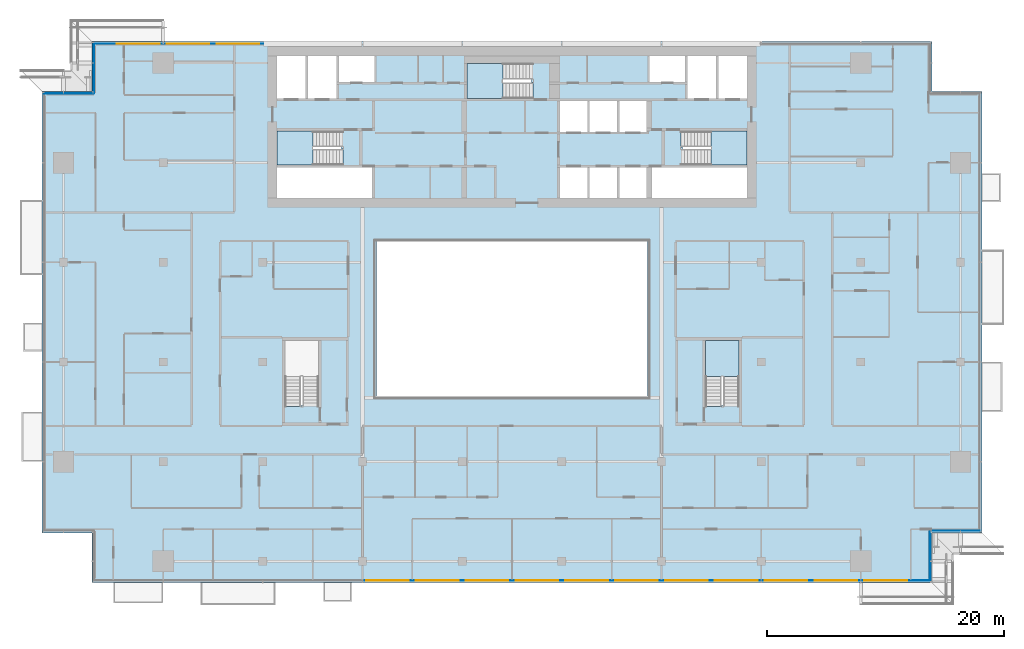
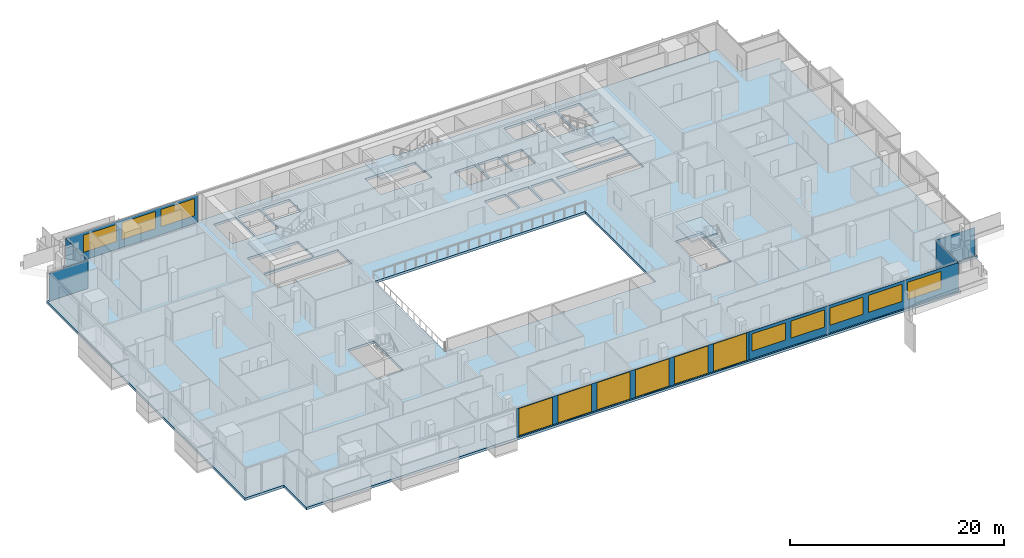
# One storey, part 15 of 30: 14 windows, 7 plates, 5 slabs, 14 openings, 10 elements without a shape of their own.
"""IFC4 building model written with IfcOpenShell, lengths in metres."""

from ifc_helpers import new_model, si_unit, direction, frame, frame_2d, origin, place, context, subcontext, project, spatial, polyline, rectangle, outline, extrude, material, layer, layer_set, type_object, element, fill, aggregate, save


model = new_model("IFC4")

# Units and contexts
model_context = context("Model", 3, precision=1e-05, world=origin(), true_north=direction((0.0, 1.0)))
body_context = subcontext(model_context, "Body", "Model", "MODEL_VIEW")
ifc_project = project(units=[si_unit("LENGTHUNIT", "METRE"), si_unit("AREAUNIT", "SQUARE_METRE"), si_unit("VOLUMEUNIT", "CUBIC_METRE"), si_unit("PLANEANGLEUNIT", "RADIAN"), si_unit("MASSUNIT", "GRAM", prefix="KILO")], contexts=[model_context])

# Site, building, storey
site_placement = place(None, origin())
site = spatial("IfcSite", under=ifc_project, at=site_placement, CompositionType="ELEMENT")
building_placement = place(site_placement, origin())
building = spatial("IfcBuilding", under=site, at=building_placement, Name="Saffron Gate Tower", CompositionType="ELEMENT")
storey_placement = place(building_placement, frame((0.0, 0.0, 158.25)))
storey = spatial("IfcBuildingStorey", under=building, at=storey_placement, Name="L38", CompositionType="ELEMENT", Elevation=158.25)

# Curtain wall, plates, openings, windows
ifc_material_1 = material(Name="Aluminium, bronze anodised", Category="aluminium")
curtain_wall_type_1 = type_object("IfcCurtainWallType", Name="CWS1 curtain wall front facade", PredefinedType="NOTDEFINED", material=ifc_material_1)
curtain_wall_1_placement = place(storey_placement, origin())
curtain_wall_1 = element("IfcCurtainWall", 1, at=curtain_wall_1_placement, inside=storey, type_object=curtain_wall_type_1, Name="CWS1 run 1", PredefinedType="NOTDEFINED")
ifc_material_2 = material(Name="Clear low-iron laminated glass", Category="glass")
ifc_layer_1 = layer(ifc_material_2, 0.028076171875)
ifc_layer_set_1 = layer_set([ifc_layer_1], Name="CWS1 clear glass")
plate_type_1 = type_object("IfcPlateType", Name="CWS1 clear glass", PredefinedType="CURTAIN_PANEL", material=ifc_layer_set_1)
plate_1_placement = place(storey_placement, frame((75.030029296875, 30.174072265625, 0.0), z_axis=(0.0, 0.0, 1.0), x_axis=(1.0, 0.0, 0.0)))
plate_1 = element("IfcPlate", 2, at=plate_1_placement, type_object=plate_type_1, Name="CWS1 clear glass panel", PredefinedType="CURTAIN_PANEL", context=body_context, shape_type="SweptSolid", body=[
    extrude(rectangle(XDim=25.139892578125, YDim=0.028076171875, at=frame_2d((12.56982421875, 0.0))), origin(), (0.0, 0.0, 1.0), 3.199951171875),
])
opening_1_placement = place(plate_1_placement, frame((0.27001953125, 0.0, 0.050048828125)))
opening_1 = element("IfcOpeningElement", 3, at=opening_1_placement, cuts=plate_1, Name="Opening WA", PredefinedType="OPENING", context=body_context, shape_type="SweptSolid", body=[
    extrude(rectangle(XDim=3.60009765625, YDim=3.10009765625, at=frame_2d((1.800048828125, 1.550048828125))), frame((0.0, 0.02392578125, 0.0), z_axis=(0.0, -1.0, 0.0), x_axis=(1.0, 0.0, 0.0)), (0.0, 0.0, 1.0), 0.048095703125),
])
opening_2_placement = place(plate_1_placement, frame((4.469970703125, 0.0, 0.050048828125)))
opening_2 = element("IfcOpeningElement", 4, at=opening_2_placement, cuts=plate_1, Name="Opening WA", PredefinedType="OPENING", context=body_context, shape_type="SweptSolid", body=[
    extrude(rectangle(XDim=3.60009765625, YDim=3.10009765625, at=frame_2d((1.800048828125, 1.550048828125))), frame((0.0, 0.02392578125, 0.0), z_axis=(0.0, -1.0, 0.0), x_axis=(1.0, 0.0, 0.0)), (0.0, 0.0, 1.0), 0.048095703125),
])
opening_3_placement = place(plate_1_placement, frame((8.669921875, 0.0, 0.050048828125)))
opening_3 = element("IfcOpeningElement", 5, at=opening_3_placement, cuts=plate_1, Name="Opening WA", PredefinedType="OPENING", context=body_context, shape_type="SweptSolid", body=[
    extrude(rectangle(XDim=3.60009765625, YDim=3.10009765625, at=frame_2d((1.800048828125, 1.550048828125))), frame((0.0, 0.02392578125, 0.0), z_axis=(0.0, -1.0, 0.0), x_axis=(1.0, 0.0, 0.0)), (0.0, 0.0, 1.0), 0.048095703125),
])
opening_4_placement = place(plate_1_placement, frame((12.8701171875, 0.0, 0.050048828125)))
opening_4 = element("IfcOpeningElement", 6, at=opening_4_placement, cuts=plate_1, Name="Opening WA", PredefinedType="OPENING", context=body_context, shape_type="SweptSolid", body=[
    extrude(rectangle(XDim=3.60009765625, YDim=3.10009765625, at=frame_2d((1.800048828125, 1.550048828125))), frame((0.0, 0.02392578125, 0.0), z_axis=(0.0, -1.0, 0.0), x_axis=(1.0, 0.0, 0.0)), (0.0, 0.0, 1.0), 0.048095703125),
])
opening_5_placement = place(plate_1_placement, frame((17.070068359375, 0.0, 0.050048828125)))
opening_5 = element("IfcOpeningElement", 7, at=opening_5_placement, cuts=plate_1, Name="Opening WA", PredefinedType="OPENING", context=body_context, shape_type="SweptSolid", body=[
    extrude(rectangle(XDim=3.60009765625, YDim=3.10009765625, at=frame_2d((1.800048828125, 1.550048828125))), frame((0.0, 0.02392578125, 0.0), z_axis=(0.0, -1.0, 0.0), x_axis=(1.0, 0.0, 0.0)), (0.0, 0.0, 1.0), 0.048095703125),
])
opening_6_placement = place(plate_1_placement, frame((21.27001953125, 0.0, 0.050048828125)))
opening_6 = element("IfcOpeningElement", 8, at=opening_6_placement, cuts=plate_1, Name="Opening WA", PredefinedType="OPENING", context=body_context, shape_type="SweptSolid", body=[
    extrude(rectangle(XDim=3.60009765625, YDim=3.10009765625, at=frame_2d((1.800048828125, 1.550048828125))), frame((0.0, 0.02392578125, 0.0), z_axis=(0.0, -1.0, 0.0), x_axis=(1.0, 0.0, 0.0)), (0.0, 0.0, 1.0), 0.048095703125),
])
ifc_material_3 = material(Name="Clear low-iron laminated glass in bronze frame", Category="glass")
ifc_layer_2 = layer(ifc_material_3, 0.06005859375)
ifc_layer_set_2 = layer_set([ifc_layer_2], Name="WA operable atrium unit 3600x3100")
window_type_1 = type_object("IfcWindowType", Name="WA operable atrium unit 3600x3100", PartitioningType="DOUBLE_PANEL_HORIZONTAL", PredefinedType="WINDOW", material=ifc_layer_set_2)
window_1_placement = place(opening_1_placement, origin())
window_1 = element("IfcWindow", 9, at=window_1_placement, type_object=window_type_1, Name="WA operable atrium unit", OverallHeight=3.10009765625, OverallWidth=3.60009765625, PartitioningType="SINGLE_PANEL", PredefinedType="WINDOW", context=body_context, shape_type="SweptSolid", body=[
    extrude(rectangle(XDim=3.60009765625, YDim=3.10009765625, at=frame_2d((1.800048828125, 1.550048828125))), frame((0.0, 0.013671875, 0.0), z_axis=(0.0, -1.0, 0.0), x_axis=(1.0, 0.0, 0.0)), (0.0, 0.0, 1.0), 0.027587890625),
])
fill(opening_1, window_1)
window_2_placement = place(opening_2_placement, origin())
window_2 = element("IfcWindow", 10, at=window_2_placement, type_object=window_type_1, Name="WA operable atrium unit", OverallHeight=3.10009765625, OverallWidth=3.60009765625, PartitioningType="SINGLE_PANEL", PredefinedType="WINDOW", context=body_context, shape_type="SweptSolid", body=[
    extrude(rectangle(XDim=3.60009765625, YDim=3.10009765625, at=frame_2d((1.800048828125, 1.550048828125))), frame((0.0, 0.013671875, 0.0), z_axis=(0.0, -1.0, 0.0), x_axis=(1.0, 0.0, 0.0)), (0.0, 0.0, 1.0), 0.027587890625),
])
fill(opening_2, window_2)
window_3_placement = place(opening_3_placement, origin())
window_3 = element("IfcWindow", 11, at=window_3_placement, type_object=window_type_1, Name="WA operable atrium unit", OverallHeight=3.10009765625, OverallWidth=3.60009765625, PartitioningType="SINGLE_PANEL", PredefinedType="WINDOW", context=body_context, shape_type="SweptSolid", body=[
    extrude(rectangle(XDim=3.60009765625, YDim=3.10009765625, at=frame_2d((1.800048828125, 1.550048828125))), frame((0.0, 0.013671875, 0.0), z_axis=(0.0, -1.0, 0.0), x_axis=(1.0, 0.0, 0.0)), (0.0, 0.0, 1.0), 0.027587890625),
])
fill(opening_3, window_3)
window_4_placement = place(opening_4_placement, origin())
window_4 = element("IfcWindow", 12, at=window_4_placement, type_object=window_type_1, Name="WA operable atrium unit", OverallHeight=3.10009765625, OverallWidth=3.60009765625, PartitioningType="SINGLE_PANEL", PredefinedType="WINDOW", context=body_context, shape_type="SweptSolid", body=[
    extrude(rectangle(XDim=3.60009765625, YDim=3.10009765625, at=frame_2d((1.800048828125, 1.550048828125))), frame((0.0, 0.013671875, 0.0), z_axis=(0.0, -1.0, 0.0), x_axis=(1.0, 0.0, 0.0)), (0.0, 0.0, 1.0), 0.027587890625),
])
fill(opening_4, window_4)
window_5_placement = place(opening_5_placement, origin())
window_5 = element("IfcWindow", 13, at=window_5_placement, type_object=window_type_1, Name="WA operable atrium unit", OverallHeight=3.10009765625, OverallWidth=3.60009765625, PartitioningType="SINGLE_PANEL", PredefinedType="WINDOW", context=body_context, shape_type="SweptSolid", body=[
    extrude(rectangle(XDim=3.60009765625, YDim=3.10009765625, at=frame_2d((1.800048828125, 1.550048828125))), frame((0.0, 0.013671875, 0.0), z_axis=(0.0, -1.0, 0.0), x_axis=(1.0, 0.0, 0.0)), (0.0, 0.0, 1.0), 0.027587890625),
])
fill(opening_5, window_5)
window_6_placement = place(opening_6_placement, origin())
window_6 = element("IfcWindow", 14, at=window_6_placement, type_object=window_type_1, Name="WA operable atrium unit", OverallHeight=3.10009765625, OverallWidth=3.60009765625, PartitioningType="SINGLE_PANEL", PredefinedType="WINDOW", context=body_context, shape_type="SweptSolid", body=[
    extrude(rectangle(XDim=3.60009765625, YDim=3.10009765625, at=frame_2d((1.800048828125, 1.550048828125))), frame((0.0, 0.013671875, 0.0), z_axis=(0.0, -1.0, 0.0), x_axis=(1.0, 0.0, 0.0)), (0.0, 0.0, 1.0), 0.027587890625),
])
fill(opening_6, window_6)
ifc_material_4 = material(Name="Fritted bronze-tinted laminated glass", Category="glass")
ifc_layer_3 = layer(ifc_material_4, 0.028076171875)
ifc_layer_set_3 = layer_set([ifc_layer_3], Name="CWS1 fixed glass")
plate_type_2 = type_object("IfcPlateType", Name="CWS1 fixed glass", PredefinedType="CURTAIN_PANEL", material=ifc_layer_set_3)
plate_2_placement = place(storey_placement, frame((100.169921875, 30.174072265625, 0.0), z_axis=(0.0, 0.0, 1.0), x_axis=(1.0, 0.0, 0.0)))
plate_2 = element("IfcPlate", 15, at=plate_2_placement, type_object=plate_type_2, Name="CWS1 glass panel", PredefinedType="CURTAIN_PANEL", context=body_context, shape_type="SweptSolid", body=[
    extrude(rectangle(XDim=22.64208984375, YDim=0.028076171875, at=frame_2d((11.321044921875, 0.0))), origin(), (0.0, 0.0, 1.0), 3.199951171875),
])
opening_7_placement = place(plate_2_placement, frame((0.330078125, 0.0, 0.89990234375)))
opening_7 = element("IfcOpeningElement", 16, at=opening_7_placement, cuts=plate_2, Name="Opening W1", PredefinedType="OPENING", context=body_context, shape_type="SweptSolid", body=[
    extrude(rectangle(XDim=3.60009765625, YDim=1.949951171875, at=frame_2d((1.800048828125, 0.97509765625))), frame((0.0, 0.02392578125, 0.0), z_axis=(0.0, -1.0, 0.0), x_axis=(1.0, 0.0, 0.0)), (0.0, 0.0, 1.0), 0.048095703125),
])
opening_8_placement = place(plate_2_placement, frame((4.530029296875, 0.0, 0.89990234375)))
opening_8 = element("IfcOpeningElement", 17, at=opening_8_placement, cuts=plate_2, Name="Opening W1", PredefinedType="OPENING", context=body_context, shape_type="SweptSolid", body=[
    extrude(rectangle(XDim=3.60009765625, YDim=1.949951171875, at=frame_2d((1.800048828125, 0.97509765625))), frame((0.0, 0.02392578125, 0.0), z_axis=(0.0, -1.0, 0.0), x_axis=(1.0, 0.0, 0.0)), (0.0, 0.0, 1.0), 0.048095703125),
])
opening_9_placement = place(plate_2_placement, frame((8.72998046875, 0.0, 0.89990234375)))
opening_9 = element("IfcOpeningElement", 18, at=opening_9_placement, cuts=plate_2, Name="Opening W1", PredefinedType="OPENING", context=body_context, shape_type="SweptSolid", body=[
    extrude(rectangle(XDim=3.60009765625, YDim=1.949951171875, at=frame_2d((1.800048828125, 0.97509765625))), frame((0.0, 0.02392578125, 0.0), z_axis=(0.0, -1.0, 0.0), x_axis=(1.0, 0.0, 0.0)), (0.0, 0.0, 1.0), 0.048095703125),
])
opening_10_placement = place(plate_2_placement, frame((12.929931640625, 0.0, 0.89990234375)))
opening_10 = element("IfcOpeningElement", 19, at=opening_10_placement, cuts=plate_2, Name="Opening W1", PredefinedType="OPENING", context=body_context, shape_type="SweptSolid", body=[
    extrude(rectangle(XDim=3.60009765625, YDim=1.949951171875, at=frame_2d((1.800048828125, 0.97509765625))), frame((0.0, 0.02392578125, 0.0), z_axis=(0.0, -1.0, 0.0), x_axis=(1.0, 0.0, 0.0)), (0.0, 0.0, 1.0), 0.048095703125),
])
opening_11_placement = place(plate_2_placement, frame((17.1298828125, 0.0, 0.89990234375)))
opening_11 = element("IfcOpeningElement", 20, at=opening_11_placement, cuts=plate_2, Name="Opening W1", PredefinedType="OPENING", context=body_context, shape_type="SweptSolid", body=[
    extrude(rectangle(XDim=3.60009765625, YDim=1.949951171875, at=frame_2d((1.800048828125, 0.97509765625))), frame((0.0, 0.02392578125, 0.0), z_axis=(0.0, -1.0, 0.0), x_axis=(1.0, 0.0, 0.0)), (0.0, 0.0, 1.0), 0.048095703125),
])
ifc_material_5 = material(Name="Fritted bronze-tinted laminated glass in bronze frame", Category="glass")
ifc_layer_4 = layer(ifc_material_5, 0.06005859375)
ifc_layer_set_4 = layer_set([ifc_layer_4], Name="W1 operable panel 3600x1950")
window_type_2 = type_object("IfcWindowType", Name="W1 operable panel 3600x1950", PartitioningType="DOUBLE_PANEL_HORIZONTAL", PredefinedType="WINDOW", material=ifc_layer_set_4)
window_7_placement = place(opening_7_placement, origin())
window_7 = element("IfcWindow", 21, at=window_7_placement, type_object=window_type_2, Name="W1 operable panel", OverallHeight=1.949951171875, OverallWidth=3.60009765625, PartitioningType="SINGLE_PANEL", PredefinedType="WINDOW", context=body_context, shape_type="SweptSolid", body=[
    extrude(rectangle(XDim=3.60009765625, YDim=1.949951171875, at=frame_2d((1.800048828125, 0.97509765625))), frame((0.0, 0.013671875, 0.0), z_axis=(0.0, -1.0, 0.0), x_axis=(1.0, 0.0, 0.0)), (0.0, 0.0, 1.0), 0.027587890625),
])
fill(opening_7, window_7)
window_8_placement = place(opening_8_placement, origin())
window_8 = element("IfcWindow", 22, at=window_8_placement, type_object=window_type_2, Name="W1 operable panel", OverallHeight=1.949951171875, OverallWidth=3.60009765625, PartitioningType="SINGLE_PANEL", PredefinedType="WINDOW", context=body_context, shape_type="SweptSolid", body=[
    extrude(rectangle(XDim=3.60009765625, YDim=1.949951171875, at=frame_2d((1.800048828125, 0.97509765625))), frame((0.0, 0.013671875, 0.0), z_axis=(0.0, -1.0, 0.0), x_axis=(1.0, 0.0, 0.0)), (0.0, 0.0, 1.0), 0.027587890625),
])
fill(opening_8, window_8)
window_9_placement = place(opening_9_placement, origin())
window_9 = element("IfcWindow", 23, at=window_9_placement, type_object=window_type_2, Name="W1 operable panel", OverallHeight=1.949951171875, OverallWidth=3.60009765625, PartitioningType="SINGLE_PANEL", PredefinedType="WINDOW", context=body_context, shape_type="SweptSolid", body=[
    extrude(rectangle(XDim=3.60009765625, YDim=1.949951171875, at=frame_2d((1.800048828125, 0.97509765625))), frame((0.0, 0.013671875, 0.0), z_axis=(0.0, -1.0, 0.0), x_axis=(1.0, 0.0, 0.0)), (0.0, 0.0, 1.0), 0.027587890625),
])
fill(opening_9, window_9)
window_10_placement = place(opening_10_placement, origin())
window_10 = element("IfcWindow", 24, at=window_10_placement, type_object=window_type_2, Name="W1 operable panel", OverallHeight=1.949951171875, OverallWidth=3.60009765625, PartitioningType="SINGLE_PANEL", PredefinedType="WINDOW", context=body_context, shape_type="SweptSolid", body=[
    extrude(rectangle(XDim=3.60009765625, YDim=1.949951171875, at=frame_2d((1.800048828125, 0.97509765625))), frame((0.0, 0.013671875, 0.0), z_axis=(0.0, -1.0, 0.0), x_axis=(1.0, 0.0, 0.0)), (0.0, 0.0, 1.0), 0.027587890625),
])
fill(opening_10, window_10)
window_11_placement = place(opening_11_placement, origin())
window_11 = element("IfcWindow", 25, at=window_11_placement, type_object=window_type_2, Name="W1 operable panel", OverallHeight=1.949951171875, OverallWidth=3.60009765625, PartitioningType="SINGLE_PANEL", PredefinedType="WINDOW", context=body_context, shape_type="SweptSolid", body=[
    extrude(rectangle(XDim=3.60009765625, YDim=1.949951171875, at=frame_2d((1.800048828125, 0.97509765625))), frame((0.0, 0.013671875, 0.0), z_axis=(0.0, -1.0, 0.0), x_axis=(1.0, 0.0, 0.0)), (0.0, 0.0, 1.0), 0.027587890625),
])
fill(opening_11, window_11)
aggregate(curtain_wall_1, [plate_2, plate_1, window_7, window_8, window_9, window_10, window_11, window_1, window_2, window_3, window_4, window_5, window_6])

# Curtain wall, plate, openings, windows
curtain_wall_type_2 = type_object("IfcCurtainWallType", Name="CWS3 curtain wall rear facade", PredefinedType="NOTDEFINED", material=ifc_material_1)
curtain_wall_2_placement = place(storey_placement, origin())
curtain_wall_2 = element("IfcCurtainWall", 26, at=curtain_wall_2_placement, inside=storey, type_object=curtain_wall_type_2, Name="CWS3 run 7", PredefinedType="NOTDEFINED")
ifc_material_6 = material(Name="Fritted grey-tinted laminated glass", Category="glass")
ifc_layer_5 = layer(ifc_material_6, 0.028076171875)
ifc_layer_set_5 = layer_set([ifc_layer_5], Name="CWS3 fixed glass")
plate_type_3 = type_object("IfcPlateType", Name="CWS3 fixed glass", PredefinedType="CURTAIN_PANEL", material=ifc_layer_set_5)
plate_3_placement = place(storey_placement, frame((66.635009765625, 75.426025390625, 0.0), z_axis=(0.0, 0.0, 1.0), x_axis=(-1.0, 0.0, 0.0)))
plate_3 = element("IfcPlate", 27, at=plate_3_placement, type_object=plate_type_3, Name="CWS3 glass panel", PredefinedType="CURTAIN_PANEL", context=body_context, shape_type="SweptSolid", body=[
    extrude(rectangle(XDim=14.2470703125, YDim=0.028076171875, at=frame_2d((7.12353515625, 0.0))), origin(), (0.0, 0.0, 1.0), 3.199951171875),
])
opening_12_placement = place(plate_3_placement, frame((0.3349609375, 0.0, 0.89990234375)))
opening_12 = element("IfcOpeningElement", 28, at=opening_12_placement, cuts=plate_3, Name="Opening W1", PredefinedType="OPENING", context=body_context, shape_type="SweptSolid", body=[
    extrude(rectangle(XDim=3.60009765625, YDim=1.949951171875, at=frame_2d((1.800048828125, 0.97509765625))), frame((0.0, 0.02392578125, 0.0), z_axis=(0.0, -1.0, 0.0), x_axis=(1.0, 0.0, 0.0)), (0.0, 0.0, 1.0), 0.048095703125),
])
opening_13_placement = place(plate_3_placement, frame((4.534912109375, 0.0, 0.89990234375)))
opening_13 = element("IfcOpeningElement", 29, at=opening_13_placement, cuts=plate_3, Name="Opening W1", PredefinedType="OPENING", context=body_context, shape_type="SweptSolid", body=[
    extrude(rectangle(XDim=3.60009765625, YDim=1.949951171875, at=frame_2d((1.800048828125, 0.97509765625))), frame((0.0, 0.02392578125, 0.0), z_axis=(0.0, -1.0, 0.0), x_axis=(1.0, 0.0, 0.0)), (0.0, 0.0, 1.0), 0.048095703125),
])
opening_14_placement = place(plate_3_placement, frame((8.735107421875, 0.0, 0.89990234375)))
opening_14 = element("IfcOpeningElement", 30, at=opening_14_placement, cuts=plate_3, Name="Opening W1", PredefinedType="OPENING", context=body_context, shape_type="SweptSolid", body=[
    extrude(rectangle(XDim=3.60009765625, YDim=1.949951171875, at=frame_2d((1.800048828125, 0.97509765625))), frame((0.0, 0.02392578125, 0.0), z_axis=(0.0, -1.0, 0.0), x_axis=(1.0, 0.0, 0.0)), (0.0, 0.0, 1.0), 0.048095703125),
])
window_12_placement = place(opening_12_placement, origin())
window_12 = element("IfcWindow", 31, at=window_12_placement, type_object=window_type_2, Name="W1 operable panel", OverallHeight=1.949951171875, OverallWidth=3.60009765625, PartitioningType="SINGLE_PANEL", PredefinedType="WINDOW", context=body_context, shape_type="SweptSolid", body=[
    extrude(rectangle(XDim=3.60009765625, YDim=1.949951171875, at=frame_2d((1.800048828125, 0.97509765625))), frame((0.0, 0.013671875, 0.0), z_axis=(0.0, -1.0, 0.0), x_axis=(1.0, 0.0, 0.0)), (0.0, 0.0, 1.0), 0.027587890625),
])
fill(opening_12, window_12)
window_13_placement = place(opening_13_placement, origin())
window_13 = element("IfcWindow", 32, at=window_13_placement, type_object=window_type_2, Name="W1 operable panel", OverallHeight=1.949951171875, OverallWidth=3.60009765625, PartitioningType="SINGLE_PANEL", PredefinedType="WINDOW", context=body_context, shape_type="SweptSolid", body=[
    extrude(rectangle(XDim=3.60009765625, YDim=1.949951171875, at=frame_2d((1.800048828125, 0.97509765625))), frame((0.0, 0.013671875, 0.0), z_axis=(0.0, -1.0, 0.0), x_axis=(1.0, 0.0, 0.0)), (0.0, 0.0, 1.0), 0.027587890625),
])
fill(opening_13, window_13)
window_14_placement = place(opening_14_placement, origin())
window_14 = element("IfcWindow", 33, at=window_14_placement, type_object=window_type_2, Name="W1 operable panel", OverallHeight=1.949951171875, OverallWidth=3.60009765625, PartitioningType="SINGLE_PANEL", PredefinedType="WINDOW", context=body_context, shape_type="SweptSolid", body=[
    extrude(rectangle(XDim=3.60009765625, YDim=1.949951171875, at=frame_2d((1.800048828125, 0.97509765625))), frame((0.0, 0.013671875, 0.0), z_axis=(0.0, -1.0, 0.0), x_axis=(1.0, 0.0, 0.0)), (0.0, 0.0, 1.0), 0.027587890625),
])
fill(opening_14, window_14)
aggregate(curtain_wall_2, [plate_3, window_12, window_13, window_14])

# Curtain wall, plate
curtain_wall_type_3 = type_object("IfcCurtainWallType", Name="CWS4 curtain wall corner returns", PredefinedType="NOTDEFINED", material=ifc_material_1)
curtain_wall_3_placement = place(storey_placement, origin())
curtain_wall_3 = element("IfcCurtainWall", 34, at=curtain_wall_3_placement, inside=storey, type_object=curtain_wall_type_3, Name="CWS4 run 2", PredefinedType="NOTDEFINED")
ifc_layer_6 = layer(ifc_material_4, 0.028076171875)
ifc_layer_set_6 = layer_set([ifc_layer_6], Name="CWS4 fixed glass")
plate_type_4 = type_object("IfcPlateType", Name="CWS4 fixed glass", PredefinedType="CURTAIN_PANEL", material=ifc_layer_set_6)
plate_4_placement = place(storey_placement, frame((122.825927734375, 30.18798828125, 0.0), z_axis=(0.0, 0.0, 1.0), x_axis=(0.0, 1.0, 0.0)))
plate_4 = element("IfcPlate", 35, at=plate_4_placement, type_object=plate_type_4, Name="CWS4 glass panel", PredefinedType="CURTAIN_PANEL", context=body_context, shape_type="SweptSolid", body=[
    extrude(rectangle(XDim=4.172119140625, YDim=0.028076171875, at=frame_2d((2.0859375, 0.0))), origin(), (0.0, 0.0, 1.0), 3.199951171875),
])
aggregate(curtain_wall_3, [plate_4])

curtain_wall_4_placement = place(storey_placement, origin())
curtain_wall_4 = element("IfcCurtainWall", 36, at=curtain_wall_4_placement, inside=storey, type_object=curtain_wall_type_3, Name="CWS4 run 3", PredefinedType="NOTDEFINED")
plate_5_placement = place(storey_placement, frame((122.840087890625, 34.3740234375, 0.0), z_axis=(0.0, 0.0, 1.0), x_axis=(1.0, 0.0, 0.0)))
plate_5 = element("IfcPlate", 37, at=plate_5_placement, type_object=plate_type_4, Name="CWS4 glass panel", PredefinedType="CURTAIN_PANEL", context=body_context, shape_type="SweptSolid", body=[
    extrude(rectangle(XDim=4.171875, YDim=0.028076171875, at=frame_2d((2.0859375, 0.0))), origin(), (0.0, 0.0, 1.0), 3.199951171875),
])
aggregate(curtain_wall_4, [plate_5])

curtain_wall_5_placement = place(storey_placement, origin())
curtain_wall_5 = element("IfcCurtainWall", 38, at=curtain_wall_5_placement, inside=storey, type_object=curtain_wall_type_3, Name="CWS4 run 8", PredefinedType="NOTDEFINED")
plate_6_placement = place(storey_placement, frame((52.3740234375, 75.412109375, 0.0), z_axis=(0.0, 0.0, 1.0), x_axis=(0.0, -1.0, 0.0)))
plate_6 = element("IfcPlate", 39, at=plate_6_placement, type_object=plate_type_4, Name="CWS4 glass panel", PredefinedType="CURTAIN_PANEL", context=body_context, shape_type="SweptSolid", body=[
    extrude(rectangle(XDim=4.172119140625, YDim=0.028076171875, at=frame_2d((2.0859375, 0.0))), origin(), (0.0, 0.0, 1.0), 3.199951171875),
])
aggregate(curtain_wall_5, [plate_6])

curtain_wall_6_placement = place(storey_placement, origin())
curtain_wall_6 = element("IfcCurtainWall", 40, at=curtain_wall_6_placement, inside=storey, type_object=curtain_wall_type_3, Name="CWS4 run 9", PredefinedType="NOTDEFINED")
plate_7_placement = place(storey_placement, frame((52.360107421875, 71.22607421875, 0.0), z_axis=(0.0, 0.0, 1.0), x_axis=(-1.0, 0.0, 0.0)))
plate_7 = element("IfcPlate", 41, at=plate_7_placement, type_object=plate_type_4, Name="CWS4 glass panel", PredefinedType="CURTAIN_PANEL", context=body_context, shape_type="SweptSolid", body=[
    extrude(rectangle(XDim=4.172119140625, YDim=0.028076171875, at=frame_2d((2.0859375, 0.0))), origin(), (0.0, 0.0, 1.0), 3.199951171875),
])
aggregate(curtain_wall_6, [plate_7])

# Slab
ifc_material_7 = material(Name="Concrete C40", Category="concrete")
ifc_layer_7 = layer(ifc_material_7, 0.280029296875)
ifc_layer_set_7 = layer_set([ifc_layer_7], Name="S2 FLOOR SLAB 280 CONCRETE C40")
slab_type_1 = type_object("IfcSlabType", Name="S2 FLOOR SLAB 280 CONCRETE C40", PredefinedType="FLOOR", material=ifc_layer_set_7)
slab_1_placement = place(storey_placement, frame((0.0, 0.0, -0.280029296875)))
element("IfcSlab", 42, at=slab_1_placement, inside=storey, type_object=slab_type_1, Name="S2 FLOOR SLAB", PredefinedType="FLOOR", context=body_context, shape_type="SweptSolid", body=[
    extrude(outline(polyline([(48.0, 34.199951171875), (52.199951171875, 34.199951171875), (52.199951171875, 30.0), (123.0, 30.0), (123.0, 34.199951171875), (127.199951171875, 34.199951171875), (127.199951171875, 71.39990234375), (123.0, 71.39990234375), (123.0, 75.60009765625), (52.199951171875, 75.60009765625), (52.199951171875, 71.39990234375), (48.0, 71.39990234375), (48.0, 34.199951171875)]), holes=[polyline([(67.800048828125, 62.39990234375), (67.800048828125, 65.0), (75.800048828125, 65.0), (75.800048828125, 62.39990234375), (67.800048828125, 62.39990234375)]), polyline([(67.800048828125, 65.199951171875), (67.800048828125, 68.050048828125), (73.25, 68.050048828125), (73.25, 66.550048828125), (73.34912109375, 66.550048828125), (73.34912109375, 65.199951171875), (67.800048828125, 65.199951171875)]), polyline([(67.800048828125, 70.800048828125), (67.800048828125, 74.39990234375), (70.199951171875, 74.39990234375), (70.199951171875, 70.800048828125), (67.800048828125, 70.800048828125)]), polyline([(68.449951171875, 44.85107421875), (68.449951171875, 50.39990234375), (71.300048828125, 50.39990234375), (71.300048828125, 44.949951171875), (69.800048828125, 44.949951171875), (69.800048828125, 44.85107421875), (68.449951171875, 44.85107421875)]), polyline([(70.39990234375, 70.800048828125), (70.39990234375, 74.39990234375), (72.800048828125, 74.39990234375), (72.800048828125, 70.800048828125), (70.39990234375, 70.800048828125)]), polyline([(73.0, 72.199951171875), (73.0, 74.39990234375), (76.0, 74.39990234375), (76.0, 72.199951171875), (73.0, 72.199951171875)]), polyline([(76.199951171875, 45.60009765625), (76.199951171875, 58.800048828125), (99.0, 58.800048828125), (99.0, 45.60009765625), (76.199951171875, 45.60009765625)]), polyline([(83.800048828125, 70.800048828125), (83.800048828125, 73.75), (89.25, 73.75), (89.25, 72.14990234375), (89.34912109375, 72.14990234375), (89.34912109375, 70.800048828125), (83.800048828125, 70.800048828125)]), polyline([(91.64990234375, 62.39990234375), (91.64990234375, 65.0), (93.949951171875, 65.0), (93.949951171875, 62.39990234375), (91.64990234375, 62.39990234375)]), polyline([(91.64990234375, 68.0), (91.64990234375, 70.60009765625), (93.949951171875, 70.60009765625), (93.949951171875, 68.0), (91.64990234375, 68.0)]), polyline([(94.14990234375, 62.39990234375), (94.14990234375, 65.0), (96.449951171875, 65.0), (96.449951171875, 62.39990234375), (94.14990234375, 62.39990234375)]), polyline([(94.14990234375, 68.0), (94.14990234375, 70.60009765625), (96.449951171875, 70.60009765625), (96.449951171875, 68.0), (94.14990234375, 68.0)]), polyline([(96.64990234375, 62.39990234375), (96.64990234375, 65.0), (98.949951171875, 65.0), (98.949951171875, 62.39990234375), (96.64990234375, 62.39990234375)]), polyline([(96.64990234375, 68.0), (96.64990234375, 70.60009765625), (98.949951171875, 70.60009765625), (98.949951171875, 68.0), (96.64990234375, 68.0)]), polyline([(99.199951171875, 72.199951171875), (99.199951171875, 74.39990234375), (102.199951171875, 74.39990234375), (102.199951171875, 72.199951171875), (99.199951171875, 72.199951171875)]), polyline([(99.39990234375, 62.39990234375), (99.39990234375, 65.0), (107.39990234375, 65.0), (107.39990234375, 62.39990234375), (99.39990234375, 62.39990234375)]), polyline([(101.85107421875, 66.699951171875), (101.85107421875, 68.050048828125), (107.39990234375, 68.050048828125), (107.39990234375, 65.199951171875), (101.949951171875, 65.199951171875), (101.949951171875, 66.699951171875), (101.85107421875, 66.699951171875)]), polyline([(102.39990234375, 70.800048828125), (102.39990234375, 74.39990234375), (104.800048828125, 74.39990234375), (104.800048828125, 70.800048828125), (102.39990234375, 70.800048828125)]), polyline([(103.89990234375, 44.85107421875), (103.89990234375, 50.39990234375), (106.75, 50.39990234375), (106.75, 44.949951171875), (105.25, 44.949951171875), (105.25, 44.85107421875), (103.89990234375, 44.85107421875)]), polyline([(105.0, 70.800048828125), (105.0, 74.39990234375), (107.39990234375, 74.39990234375), (107.39990234375, 70.800048828125), (105.0, 70.800048828125)])]), origin(), (0.0, 0.0, 1.0), 0.280029296875),
])

# Stair, slab
stair_type = type_object("IfcStairType", Name="ST7 Stair 1350 wide, 20 risers of 180", PredefinedType="HALF_TURN_STAIR", material=ifc_material_7)
stair_1_placement = place(storey_placement, origin())
stair_1 = element("IfcStair", 43, at=stair_1_placement, inside=storey, type_object=stair_type, Name="L38 Exit stair A", PredefinedType="HALF_TURN_STAIR")
ifc_layer_8 = layer(ifc_material_7, 0.199951171875)
ifc_layer_set_8 = layer_set([ifc_layer_8], Name="SL1 Stair landing 200")
slab_type_2 = type_object("IfcSlabType", Name="SL1 Stair landing 200", PredefinedType="LANDING", material=ifc_layer_set_8)
slab_2_placement = place(storey_placement, frame((0.0, 0.0, 1.60009765625)))
slab_2 = element("IfcSlab", 44, at=slab_2_placement, type_object=slab_type_2, Name="ST-A landing 1", PredefinedType="LANDING", context=body_context, shape_type="SweptSolid", body=[
    extrude(outline(polyline([(70.830078125, 68.050048828125), (67.800048828125, 68.050048828125), (67.800048828125, 65.199951171875), (70.830078125, 65.199951171875), (70.830078125, 68.050048828125)])), origin(), (0.0, 0.0, 1.0), 0.199951171875),
])
aggregate(stair_1, [slab_2])

stair_2_placement = place(storey_placement, origin())
stair_2 = element("IfcStair", 45, at=stair_2_placement, inside=storey, type_object=stair_type, Name="L38 Exit stair B", PredefinedType="HALF_TURN_STAIR")
slab_3_placement = place(storey_placement, frame((0.0, 0.0, 1.60009765625)))
slab_3 = element("IfcSlab", 46, at=slab_3_placement, type_object=slab_type_2, Name="ST-B landing 1", PredefinedType="LANDING", context=body_context, shape_type="SweptSolid", body=[
    extrude(outline(polyline([(104.3701171875, 65.199951171875), (107.39990234375, 65.199951171875), (107.39990234375, 68.050048828125), (104.3701171875, 68.050048828125), (104.3701171875, 65.199951171875)])), origin(), (0.0, 0.0, 1.0), 0.199951171875),
])
aggregate(stair_2, [slab_3])

stair_3_placement = place(storey_placement, origin())
stair_3 = element("IfcStair", 47, at=stair_3_placement, inside=storey, type_object=stair_type, Name="L38 Exit stair C", PredefinedType="HALF_TURN_STAIR")
slab_4_placement = place(storey_placement, frame((0.0, 0.0, 1.60009765625)))
slab_4 = element("IfcSlab", 48, at=slab_4_placement, type_object=slab_type_2, Name="ST-C landing 1", PredefinedType="LANDING", context=body_context, shape_type="SweptSolid", body=[
    extrude(outline(polyline([(86.830078125, 73.75), (83.800048828125, 73.75), (83.800048828125, 70.800048828125), (86.830078125, 70.800048828125), (86.830078125, 73.75)])), origin(), (0.0, 0.0, 1.0), 0.199951171875),
])
aggregate(stair_3, [slab_4])

stair_4_placement = place(storey_placement, origin())
stair_4 = element("IfcStair", 49, at=stair_4_placement, inside=storey, type_object=stair_type, Name="L38 Exit stair E", PredefinedType="HALF_TURN_STAIR")
slab_5_placement = place(storey_placement, frame((0.0, 0.0, 1.60009765625)))
slab_5 = element("IfcSlab", 50, at=slab_5_placement, type_object=slab_type_2, Name="ST-E landing 1", PredefinedType="LANDING", context=body_context, shape_type="SweptSolid", body=[
    extrude(outline(polyline([(106.75, 47.3701171875), (106.75, 50.39990234375), (103.89990234375, 50.39990234375), (103.89990234375, 47.3701171875), (106.75, 47.3701171875)])), origin(), (0.0, 0.0, 1.0), 0.199951171875),
])
aggregate(stair_4, [slab_5])

save(model, "model.ifc")
